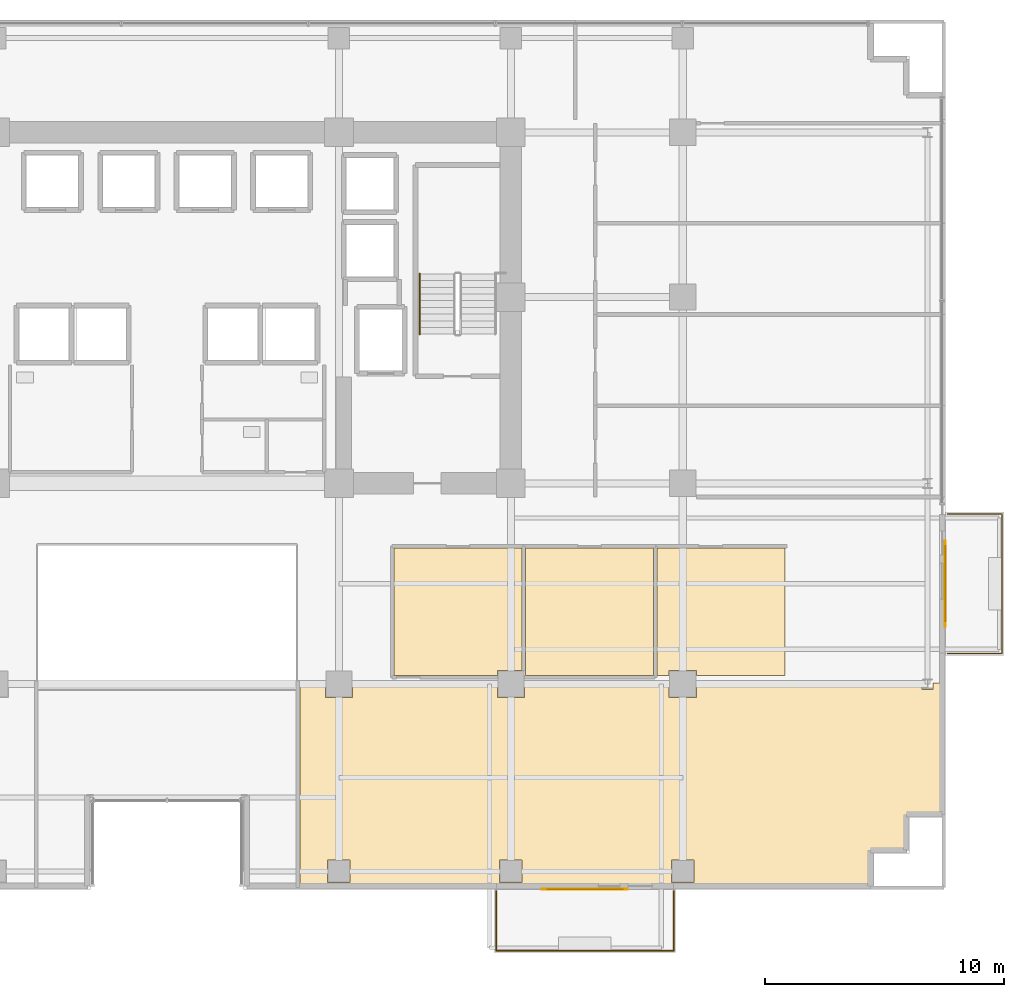
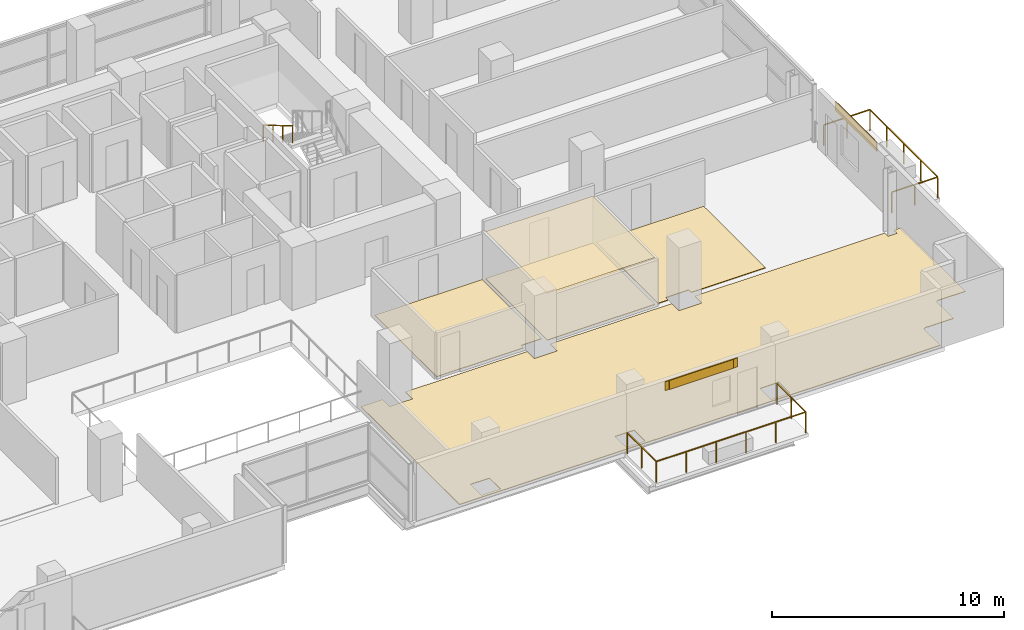
# One storey, part 25 of 27: 7 coverings, 3 railings, 2 shading devices.
"""IFC4 building model written with IfcOpenShell, lengths in metres."""

from ifc_helpers import new_model, si_unit, direction, frame, origin, origin_2d, place, context, subcontext, project, spatial, polyline, rectangle, outline, extrude, source, transform, mapped, material, layer, layer_set, type_object, element, save


model = new_model("IFC4")

# Units and contexts
model_context = context("Model", 3, precision=1e-05, world=origin(), true_north=direction((0.0, 1.0)))
body_context = subcontext(model_context, "Body", "Model", "MODEL_VIEW")
ifc_project = project(units=[si_unit("LENGTHUNIT", "METRE"), si_unit("AREAUNIT", "SQUARE_METRE"), si_unit("VOLUMEUNIT", "CUBIC_METRE"), si_unit("PLANEANGLEUNIT", "RADIAN"), si_unit("MASSUNIT", "GRAM", prefix="KILO")], contexts=[model_context])

# Site, building, storey
site_placement = place(None, origin())
site = spatial("IfcSite", under=ifc_project, at=site_placement, CompositionType="ELEMENT")
building_placement = place(site_placement, origin())
building = spatial("IfcBuilding", under=site, at=building_placement, Name="Zarnakvel Exchange Tower", CompositionType="ELEMENT")
storey_placement = place(building_placement, frame((0.0, 0.0, 76.89990234375)))
storey = spatial("IfcBuildingStorey", under=building, at=storey_placement, Name="L21", CompositionType="ELEMENT", Elevation=76.89990234375)

# Coverings
ifc_material_1 = material(Name="Perforated Bronze Acoustic Metal Ceiling", Category="aluminium")
ifc_layer_1 = layer(ifc_material_1, 0.02001953125)
ifc_layer_set_1 = layer_set([ifc_layer_1], Name="Perforated Bronze Acoustic Metal Ceiling")
covering_type_1 = type_object("IfcCoveringType", Name="CLG-01", PredefinedType="CEILING", material=ifc_layer_set_1)
covering_1_placement = place(storey_placement, frame((0.0, 0.0, 2.47998046875)))
element("IfcCovering", 1, at=covering_1_placement, inside=storey, type_object=covering_type_1, Name="L21 Suspended Acoustic Ceiling (Conference Room)", PredefinedType="CEILING", context=body_context, shape_type="SweptSolid", body=[
    extrude(outline(polyline([(15.017578125, -3.909912109375), (20.365234375, -3.909912109375), (20.365234375, -9.239990234375), (15.017578125, -9.239990234375), (15.017578125, -3.909912109375)])), origin(), (0.0, 0.0, 1.0), 0.02001953125),
])
ifc_material_2 = material(Name="Heavy-Duty Raised Access Floor Panel", Category="steel")
ifc_layer_2 = layer(ifc_material_2, 0.034912109375)
ifc_layer_set_2 = layer_set([ifc_layer_2], Name="Heavy-Duty Raised Access Floor Panel")
covering_type_2 = type_object("IfcCoveringType", Name="FLR-02", PredefinedType="FLOORING", material=ifc_layer_set_2)
covering_2_placement = place(storey_placement, origin())
element("IfcCovering", 2, at=covering_2_placement, inside=storey, type_object=covering_type_2, Name="L21 Floor Finish (Boardroom)", PredefinedType="FLOORING", context=body_context, shape_type="SweptSolid", body=[
    extrude(outline(polyline([(9.510009765625, -3.909912109375), (14.857666015625, -3.909912109375), (14.857666015625, -9.030029296875), (13.830078125, -9.030029296875), (13.830078125, -9.239990234375), (9.510009765625, -9.239990234375), (9.510009765625, -3.909912109375)])), origin(), (0.0, 0.0, 1.0), 0.03515625),
])
covering_3_placement = place(storey_placement, origin())
element("IfcCovering", 3, at=covering_3_placement, inside=storey, type_object=covering_type_2, Name="L21 Floor Finish (Conference Room)", PredefinedType="FLOORING", context=body_context, shape_type="SweptSolid", body=[
    extrude(outline(polyline([(15.017578125, -3.909912109375), (20.365234375, -3.909912109375), (20.365234375, -9.239990234375), (15.017578125, -9.239990234375), (15.017578125, -3.909912109375)])), origin(), (0.0, 0.0, 1.0), 0.03515625),
])
covering_4_placement = place(storey_placement, origin())
element("IfcCovering", 4, at=covering_4_placement, inside=storey, type_object=covering_type_2, Name="L21 Floor Finish (Executive Pantry)", PredefinedType="FLOORING", context=body_context, shape_type="SweptSolid", body=[
    extrude(outline(polyline([(20.525146484375, -3.909912109375), (25.872802734375, -3.909912109375), (25.872802734375, -9.239990234375), (22.169921875, -9.239990234375), (22.169921875, -9.030029296875), (21.030029296875, -9.030029296875), (21.030029296875, -9.239990234375), (20.525146484375, -9.239990234375), (20.525146484375, -3.909912109375)])), origin(), (0.0, 0.0, 1.0), 0.03515625),
])
covering_5_placement = place(storey_placement, origin())
element("IfcCovering", 5, at=covering_5_placement, inside=storey, type_object=covering_type_2, Name="L21 Floor Finish (Corporate Advisory Suite)", PredefinedType="FLOORING", context=body_context, shape_type="SweptSolid", body=[
    extrude(outline(polyline([(5.56005859375, -9.56005859375), (6.6298828125, -9.56005859375), (6.6298828125, -10.169921875), (7.77001953125, -10.169921875), (7.77001953125, -9.56005859375), (13.830078125, -9.56005859375), (13.830078125, -10.169921875), (14.969970703125, -10.169921875), (14.969970703125, -9.56005859375), (21.030029296875, -9.56005859375), (21.030029296875, -10.169921875), (22.169921875, -10.169921875), (22.169921875, -9.56005859375), (31.6240234375, -9.56005859375), (31.6240234375, -9.83251953125), (32.075927734375, -9.83251953125), (32.075927734375, -9.56005859375), (32.449951171875, -9.56005859375), (32.449951171875, -15.080078125), (31.10009765625, -15.080078125), (31.088134765625, -15.08056640625), (31.07666015625, -15.082275390625), (31.065185546875, -15.085205078125), (31.05419921875, -15.089111328125), (31.04345703125, -15.09423828125), (31.033447265625, -15.100341796875), (31.02392578125, -15.107177734375), (31.01513671875, -15.115234375), (31.00732421875, -15.123779296875), (31.000244140625, -15.13330078125), (30.994140625, -15.143310546875), (30.989013671875, -15.154052734375), (30.985107421875, -15.165283203125), (30.982421875, -15.176513671875), (30.98046875, -15.188232421875), (30.97998046875, -15.199951171875), (30.97998046875, -16.580078125), (29.60009765625, -16.580078125), (29.588134765625, -16.58056640625), (29.57666015625, -16.582275390625), (29.565185546875, -16.585205078125), (29.55419921875, -16.589111328125), (29.54345703125, -16.59423828125), (29.533447265625, -16.600341796875), (29.52392578125, -16.607177734375), (29.51513671875, -16.615234375), (29.50732421875, -16.623779296875), (29.500244140625, -16.63330078125), (29.494140625, -16.643310546875), (29.489013671875, -16.654052734375), (29.485107421875, -16.665283203125), (29.482421875, -16.676513671875), (29.48046875, -16.688232421875), (29.47998046875, -16.699951171875), (29.47998046875, -18.050048828125), (5.56005859375, -18.050048828125), (5.56005859375, -9.56005859375)]), holes=[polyline([(22.070068359375, -17.919921875), (22.070068359375, -16.97998046875), (21.1298828125, -16.97998046875), (21.1298828125, -17.919921875), (22.070068359375, -17.919921875)]), polyline([(14.8701171875, -17.919921875), (14.8701171875, -16.97998046875), (13.929931640625, -16.97998046875), (13.929931640625, -17.919921875), (14.8701171875, -17.919921875)]), polyline([(7.669921875, -17.919921875), (7.669921875, -16.97998046875), (6.72998046875, -16.97998046875), (6.72998046875, -17.919921875), (7.669921875, -17.919921875)])]), origin(), (0.0, 0.0, 1.0), 0.03515625),
])

# Railings
ifc_material_3 = material(Name="Architectural Bronze Anodised Aluminium", Category="aluminium")
railing_type_1 = type_object("IfcRailingType", Name="GR-02", PredefinedType="GUARDRAIL", material=ifc_material_3)
railing_1_placement = place(storey_placement, frame((13.780029296875, -18.280029296875, -0.034912109375)))
element("IfcRailing", 6, at=railing_1_placement, inside=storey, type_object=railing_type_1, Name="L21 Balcony Guardrail BAL-L21-SE", PredefinedType="GUARDRAIL", context=body_context, shape_type="SweptSolid", body=[
    extrude(rectangle(XDim=0.048095703125, YDim=0.048095703125, at=origin_2d()), frame((0.0, 0.0, 1.09619140625), z_axis=(0.0, -1.0, 0.0), x_axis=(1.0, 0.0, 0.0)), (0.0, 0.0, 1.0), 2.489990234375),
    extrude(rectangle(XDim=0.048095703125, YDim=0.048095703125, at=origin_2d()), frame((0.0, -2.489990234375, 1.09619140625), z_axis=(1.0, 0.0, 0.0), x_axis=(0.0, 1.0, 0.0)), (0.0, 0.0, 1.0), 7.43994140625),
    extrude(rectangle(XDim=0.048095703125, YDim=0.048095703125, at=origin_2d()), frame((7.43994140625, -2.489990234375, 1.09619140625), z_axis=(0.0, 1.0, 0.0), x_axis=(-1.0, 0.0, 0.0)), (0.0, 0.0, 1.0), 2.489990234375),
    extrude(rectangle(XDim=0.0419921875, YDim=0.0419921875, at=origin_2d()), origin(), (0.0, 0.0, 1.0), 1.072021484375),
    extrude(rectangle(XDim=0.0419921875, YDim=0.0419921875, at=origin_2d()), frame((0.0, -1.2451171875, 0.0)), (0.0, 0.0, 1.0), 1.072021484375),
    extrude(rectangle(XDim=0.0419921875, YDim=0.0419921875, at=origin_2d()), frame((0.0, -2.489990234375, 0.0)), (0.0, 0.0, 1.0), 1.072021484375),
    extrude(rectangle(XDim=0.0419921875, YDim=0.0419921875, at=origin_2d()), frame((1.488037109375, -2.489990234375, 0.0)), (0.0, 0.0, 1.0), 1.072021484375),
    extrude(rectangle(XDim=0.0419921875, YDim=0.0419921875, at=origin_2d()), frame((2.97607421875, -2.489990234375, 0.0)), (0.0, 0.0, 1.0), 1.072021484375),
    extrude(rectangle(XDim=0.0419921875, YDim=0.0419921875, at=origin_2d()), frame((4.4638671875, -2.489990234375, 0.0)), (0.0, 0.0, 1.0), 1.072021484375),
    extrude(rectangle(XDim=0.0419921875, YDim=0.0419921875, at=origin_2d()), frame((5.951904296875, -2.489990234375, 0.0)), (0.0, 0.0, 1.0), 1.072021484375),
    extrude(rectangle(XDim=0.0419921875, YDim=0.0419921875, at=origin_2d()), frame((7.43994140625, -2.489990234375, 0.0)), (0.0, 0.0, 1.0), 1.072021484375),
    extrude(rectangle(XDim=0.0419921875, YDim=0.0419921875, at=origin_2d()), frame((7.43994140625, -1.2451171875, 0.0)), (0.0, 0.0, 1.0), 1.072021484375),
    extrude(rectangle(XDim=0.0419921875, YDim=0.0419921875, at=origin_2d()), frame((7.43994140625, 0.0, 0.0)), (0.0, 0.0, 1.0), 1.072021484375),
])
railing_2_placement = place(storey_placement, frame((32.679931640625, -8.320068359375, -0.034912109375)))
element("IfcRailing", 7, at=railing_2_placement, inside=storey, type_object=railing_type_1, Name="L21 Balcony Guardrail BAL-L21-E", PredefinedType="GUARDRAIL", context=body_context, shape_type="SweptSolid", body=[
    extrude(rectangle(XDim=0.048095703125, YDim=0.048095703125, at=origin_2d()), frame((0.0, 0.0, 1.09619140625), z_axis=(1.0, 0.0, 0.0), x_axis=(0.0, 1.0, 0.0)), (0.0, 0.0, 1.0), 2.2900390625),
    extrude(rectangle(XDim=0.048095703125, YDim=0.048095703125, at=origin_2d()), frame((2.2900390625, 0.0, 1.09619140625), z_axis=(0.0, 1.0, 0.0), x_axis=(-1.0, 0.0, 0.0)), (0.0, 0.0, 1.0), 5.840087890625),
    extrude(rectangle(XDim=0.048095703125, YDim=0.048095703125, at=origin_2d()), frame((2.2900390625, 5.840087890625, 1.09619140625), z_axis=(-1.0, 0.0, 0.0), x_axis=(0.0, -1.0, 0.0)), (0.0, 0.0, 1.0), 2.2900390625),
    extrude(rectangle(XDim=0.0419921875, YDim=0.0419921875, at=origin_2d()), origin(), (0.0, 0.0, 1.0), 1.072021484375),
    extrude(rectangle(XDim=0.0419921875, YDim=0.0419921875, at=origin_2d()), frame((1.14501953125, 0.0, 0.0)), (0.0, 0.0, 1.0), 1.072021484375),
    extrude(rectangle(XDim=0.0419921875, YDim=0.0419921875, at=origin_2d()), frame((2.2900390625, 0.0, 0.0)), (0.0, 0.0, 1.0), 1.072021484375),
    extrude(rectangle(XDim=0.0419921875, YDim=0.0419921875, at=origin_2d()), frame((2.2900390625, 1.4599609375, 0.0)), (0.0, 0.0, 1.0), 1.072021484375),
    extrude(rectangle(XDim=0.0419921875, YDim=0.0419921875, at=origin_2d()), frame((2.2900390625, 2.919921875, 0.0)), (0.0, 0.0, 1.0), 1.072021484375),
    extrude(rectangle(XDim=0.0419921875, YDim=0.0419921875, at=origin_2d()), frame((2.2900390625, 4.380126953125, 0.0)), (0.0, 0.0, 1.0), 1.072021484375),
    extrude(rectangle(XDim=0.0419921875, YDim=0.0419921875, at=origin_2d()), frame((2.2900390625, 5.840087890625, 0.0)), (0.0, 0.0, 1.0), 1.072021484375),
    extrude(rectangle(XDim=0.0419921875, YDim=0.0419921875, at=origin_2d()), frame((1.14501953125, 5.840087890625, 0.0)), (0.0, 0.0, 1.0), 1.072021484375),
    extrude(rectangle(XDim=0.0419921875, YDim=0.0419921875, at=origin_2d()), frame((0.0, 5.840087890625, 0.0)), (0.0, 0.0, 1.0), 1.072021484375),
])
ifc_material_4 = material(Name="Brushed Stainless Steel", Category="steel")
railing_type_2 = type_object("IfcRailingType", Name="HR-01", PredefinedType="HANDRAIL", material=ifc_material_4)
railing_3_placement = place(storey_placement, frame((10.590087890625, 7.570068359375, 1.815185546875)))
element("IfcRailing", 8, at=railing_3_placement, inside=storey, type_object=railing_type_2, Name="L21 ST-02 stair handrail 2", PredefinedType="HANDRAIL", context=body_context, shape_type="SweptSolid", body=[
    extrude(rectangle(XDim=0.048095703125, YDim=0.048095703125, at=origin_2d()), frame((0.0, 0.0, 0.8759765625), z_axis=(0.0, -0.861560626758, 0.507654692109), x_axis=(1.0, 0.0, 0.0)), (0.0, 0.0, 1.0), 2.925048828125),
    extrude(rectangle(XDim=0.0419921875, YDim=0.0419921875, at=origin_2d()), origin(), (0.0, 0.0, 1.0), 0.851806640625),
    extrude(rectangle(XDim=0.0419921875, YDim=0.0419921875, at=origin_2d()), frame((0.0, -0.840087890625, 0.494873046875)), (0.0, 0.0, 1.0), 0.851806640625),
    extrude(rectangle(XDim=0.0419921875, YDim=0.0419921875, at=origin_2d()), frame((0.0, -1.679931640625, 0.989990234375)), (0.0, 0.0, 1.0), 0.851806640625),
    extrude(rectangle(XDim=0.0419921875, YDim=0.0419921875, at=origin_2d()), frame((0.0, -2.52001953125, 1.48486328125)), (0.0, 0.0, 1.0), 0.851806640625),
])

# Coverings
ifc_material_5 = material(Name="Warm Sandstone Terracotta Spandrel Tile", Category="masonry")
ifc_layer_3 = layer(ifc_material_5, 0.031982421875)
ifc_layer_set_3 = layer_set([ifc_layer_3], Name="Warm Sandstone Terracotta Spandrel Tile")
covering_type_3 = type_object("IfcCoveringType", Name="CL-02", PredefinedType="CLADDING", material=ifc_layer_set_3)
shared_shape_1 = source(origin(), body_context, "Body", "SweptSolid", [
    extrude(rectangle(XDim=3.60009765625, YDim=0.031982421875, at=origin_2d()), origin(), (0.0, 0.0, 1.0), 0.469970703125),
])
for number, where, z_axis, x_axis, name in (
    (9, (17.5, -18.194091796875, 2.56005859375), (0.0, 0.0, 1.0), (-1.0, 0.0, 0.0), "L21 Ceramic Spandrel Tilework CL-02"),
    (10, (32.593994140625, -5.39990234375, 2.56005859375), (0.0, 0.0, 1.0), (0.0, -1.0, 0.0), "L21 Ceramic Spandrel Tilework CL-02"),
):
    element("IfcCovering", number, at=place(storey_placement, frame(where, z_axis=z_axis, x_axis=x_axis)), inside=storey, type_object=covering_type_3, Name=name, PredefinedType="CLADDING", context=body_context, shape_type="MappedRepresentation", body=[
        mapped(shared_shape_1, transform((0.0, 0.0, 0.0), x_axis=(1.0, 0.0, 0.0), y_axis=(0.0, 1.0, 0.0), z_axis=(0.0, 0.0, 1.0), scale=1.0)),
    ])

# Shading devices
ifc_material_6 = material(Name="Perforated Architectural Bronze Screen", Category="aluminium")
ifc_layer_4 = layer(ifc_material_6, 0.044921875)
ifc_layer_set_4 = layer_set([ifc_layer_4], Name="Perforated Architectural Bronze Screen")
shading_device_type = type_object("IfcShadingDeviceType", Name="SS-01", PredefinedType="JALOUSIE", material=ifc_layer_set_4)
shared_shape_2 = source(origin(), body_context, "Body", "SweptSolid", [
    extrude(rectangle(XDim=3.199951171875, YDim=0.044921875, at=origin_2d()), origin(), (0.0, 0.0, 1.0), 0.469970703125),
])
for number, where, z_axis, x_axis, name in (
    (11, (17.5, -18.200439453125, 2.56005859375), (0.0, 0.0, 1.0), (-1.0, 0.0, 0.0), "L21 Bronze Solar Shading Screen SS-01"),
    (12, (32.6005859375, -5.39990234375, 2.56005859375), (0.0, 0.0, 1.0), (0.0, -1.0, 0.0), "L21 Bronze Solar Shading Screen SS-01"),
):
    element("IfcShadingDevice", number, at=place(storey_placement, frame(where, z_axis=z_axis, x_axis=x_axis)), inside=storey, type_object=shading_device_type, Name=name, PredefinedType="JALOUSIE", context=body_context, shape_type="MappedRepresentation", body=[
        mapped(shared_shape_2, transform((0.0, 0.0, 0.0), x_axis=(1.0, 0.0, 0.0), y_axis=(0.0, 1.0, 0.0), z_axis=(0.0, 0.0, 1.0), scale=1.0)),
    ])

save(model, "model.ifc")
